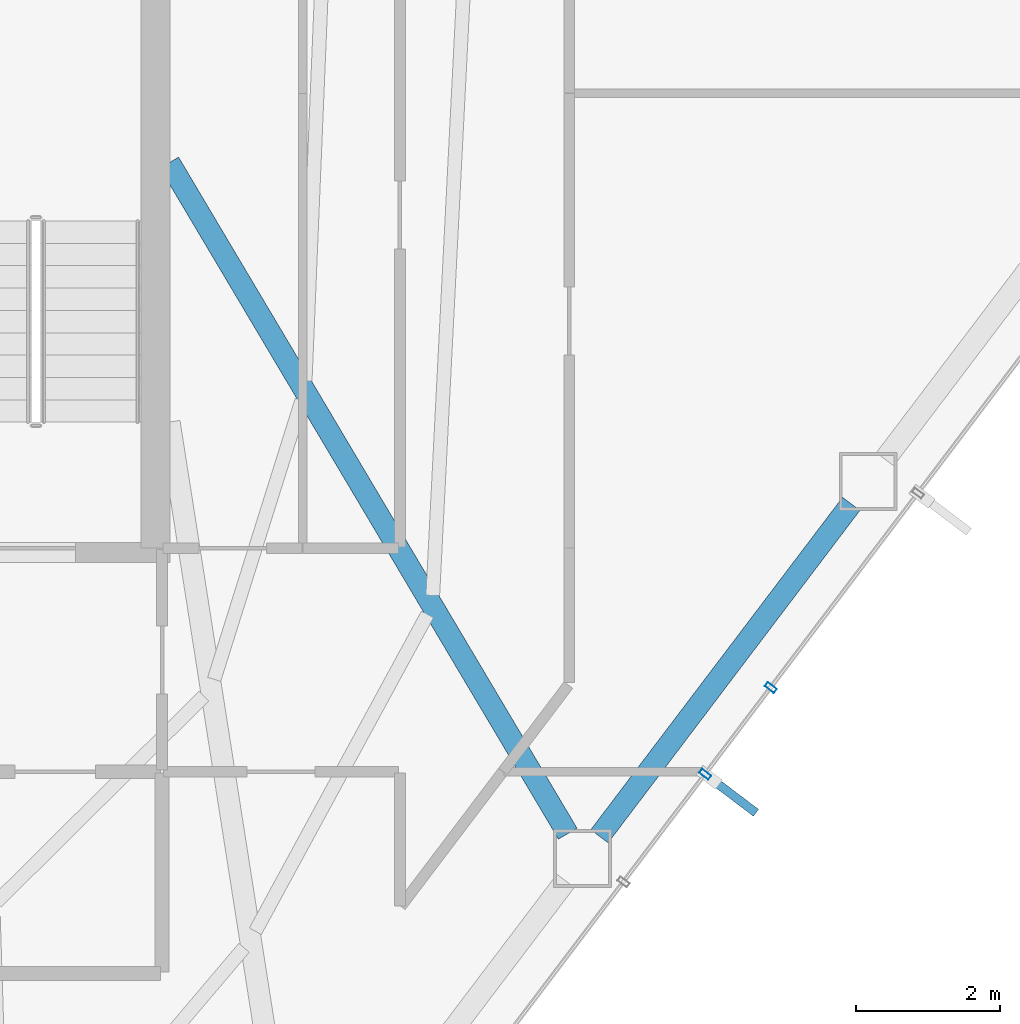
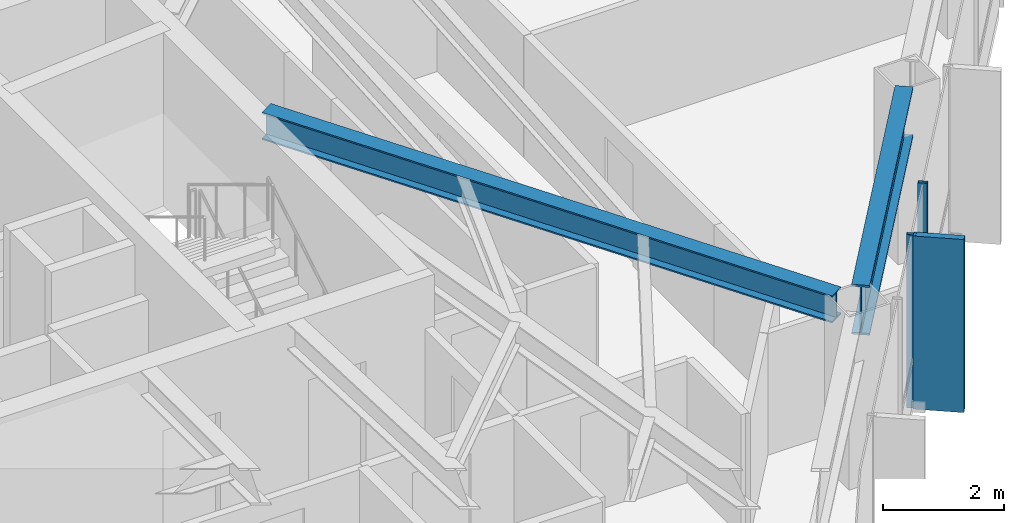
# One storey, part 19 of 28: 3 members, 2 beams, 1 element without a shape of its own.
"""IFC4 building model written with IfcOpenShell, lengths in metres."""

import ifcopenshell
import ifcopenshell.guid

model = None  # the IFC model being written
_history = None  # IfcOwnerHistory: only IFC2X3 demands one
_inside = {}  # id of a spatial element -> (the spatial element, [elements in it])
_under = {}  # id of a project, library or spatial element -> (it, [spatial elements below it])
_declared = {}  # id of a project -> (the project, [libraries it declares])
_typed = {}  # id of a type object -> (the type object, [elements of that type])
_made_of = {}  # id of a material, layer set ... -> (it, [elements and type objects made of it])


def new_model(schema):
    """Start an empty IFC model of exactly this schema.

    Asked for "IFC4X3", IfcOpenShell would pick the latest addendum, in which some entities
    have other attributes; the version numbers below select the first issue.
    IFC2X3 requires an IfcOwnerHistory on every rooted entity: one is made here for all.
    """
    global model, _history
    if schema == "IFC4X3":
        model = ifcopenshell.file(schema_version=(4, 3, 0, 0))
    else:
        model = ifcopenshell.file(schema=schema)
    _inside.clear()
    _under.clear()
    _declared.clear()
    _typed.clear()
    _made_of.clear()
    _history = None
    if model.schema == "IFC2X3":
        org = make("IfcOrganization", Name="unknown")
        user = make(
            "IfcPersonAndOrganization",
            ThePerson=make("IfcPerson", FamilyName="unknown"),
            TheOrganization=org,
        )
        app = make(
            "IfcApplication",
            ApplicationDeveloper=org,
            Version="unknown",
            ApplicationFullName="unknown",
            ApplicationIdentifier="unknown",
        )
        _history = make(
            "IfcOwnerHistory",
            OwningUser=user,
            OwningApplication=app,
            ChangeAction="ADDED",
            CreationDate=0,
        )
    return model


def make(cls, **values):
    """One entity of the class cls with the attributes given. An attribute that is None is left unset."""
    return model.create_entity(
        cls, **{name: value for name, value in values.items() if value is not None}
    )


def rooted(cls, **values):
    """An entity with a GlobalId (a new one), such as an element, a storey or a relation."""
    return make(cls, GlobalId=ifcopenshell.guid.new(), OwnerHistory=_history, **values)


def si_unit(unit_type, name, prefix=None):
    """IfcSIUnit, for example si_unit("LENGTHUNIT", "METRE", prefix="MILLI")."""
    return make("IfcSIUnit", UnitType=unit_type, Prefix=prefix, Name=name)


def assignment(units):
    """IfcUnitAssignment: the units of a project."""
    return None if units is None else make("IfcUnitAssignment", Units=units)


def point(xyz):
    """IfcCartesianPoint."""
    return None if xyz is None else make("IfcCartesianPoint", Coordinates=xyz)


def direction(xyz):
    """IfcDirection."""
    return None if xyz is None else make("IfcDirection", DirectionRatios=xyz)


def frame(location, z_axis=None, x_axis=None):
    """IfcAxis2Placement3D, a coordinate frame: its origin and axes. An axis left out is left unset."""
    return make(
        "IfcAxis2Placement3D",
        Location=point(location),
        Axis=direction(z_axis),
        RefDirection=direction(x_axis),
    )


def frame_2d(location, x_axis=None):
    """IfcAxis2Placement2D, a coordinate frame in the plane: its origin and x axis."""
    return make(
        "IfcAxis2Placement2D", Location=point(location), RefDirection=direction(x_axis)
    )


def origin():
    """The frame at (0, 0, 0) with its axes left unset."""
    return frame((0.0, 0.0, 0.0))


def origin_2d():
    """The frame at (0, 0) in the plane with its x axis left unset."""
    return frame_2d((0.0, 0.0))


def place(relative_to, where):
    """IfcLocalPlacement: puts the frame where relative to a parent placement (None: the world)."""
    return make(
        "IfcLocalPlacement", PlacementRelTo=relative_to, RelativePlacement=where
    )


def context(
    kind, dimensions, precision=None, world=None, true_north=None, identifier=None
):
    """IfcGeometricRepresentationContext, for example the 3D "Model" context."""
    return make(
        "IfcGeometricRepresentationContext",
        ContextIdentifier=identifier,
        ContextType=kind,
        CoordinateSpaceDimension=dimensions,
        Precision=precision,
        WorldCoordinateSystem=world,
        TrueNorth=true_north,
    )


def subcontext(parent, identifier, kind, view, scale=None):
    """IfcGeometricRepresentationSubContext, for example "Body" below "Model"."""
    return make(
        "IfcGeometricRepresentationSubContext",
        ContextIdentifier=identifier,
        ContextType=kind,
        ParentContext=parent,
        TargetScale=scale,
        TargetView=view,
    )


def project(units=None, contexts=None):
    """IfcProject with its units and contexts."""
    return rooted(
        "IfcProject",
        Name="project",
        RepresentationContexts=contexts,
        UnitsInContext=assignment(units),
    )


def spatial(cls, under=None, at=None, **own):
    """A site, building, storey or space (cls), placed at a placement, below another one or the project."""
    s = rooted(cls, ObjectPlacement=at, **own)
    if under is not None:
        _under.setdefault(under.id(), (under, []))[1].append(s)
    return s


def profile(cls, at=None, kind="AREA", **sizes):
    """A parametric profile (cls). Its sizes go by their IFC names, for example OverallWidth=200.0."""
    return make(cls, ProfileType=kind, Position=at, **sizes)


def rectangle(**sizes):
    """IfcRectangleProfileDef."""
    return profile("IfcRectangleProfileDef", **sizes)


def hollow_rectangle(**sizes):
    """IfcRectangleHollowProfileDef."""
    return profile("IfcRectangleHollowProfileDef", **sizes)


def i_section(**sizes):
    """IfcIShapeProfileDef."""
    return profile("IfcIShapeProfileDef", **sizes)


def extrude(swept, where, along, depth):
    """IfcExtrudedAreaSolid: the profile swept, set in the frame where, extruded along a direction by depth."""
    return make(
        "IfcExtrudedAreaSolid",
        SweptArea=swept,
        Position=where,
        ExtrudedDirection=direction(along),
        Depth=depth,
    )


def shape(context_of_items, identifier, shape_type, items):
    """IfcShapeRepresentation: the items that make up one representation, for example the "Body"."""
    return make(
        "IfcShapeRepresentation",
        ContextOfItems=context_of_items,
        RepresentationIdentifier=identifier,
        RepresentationType=shape_type,
        Items=items,
    )


def material(Name=None, Category=None):
    """IfcMaterial."""
    return make("IfcMaterial", Name=Name, Category=Category)


def layer(
    of_material, thickness, ventilated=None, Name=None, Category=None, Priority=None
):
    """IfcMaterialLayer: one layer of a wall or slab, of a material (None: an air gap)."""
    return make(
        "IfcMaterialLayer",
        Material=of_material,
        LayerThickness=thickness,
        IsVentilated=ventilated,
        Name=Name,
        Category=Category,
        Priority=Priority,
    )


def layer_set(layers, Name=None):
    """IfcMaterialLayerSet."""
    return make("IfcMaterialLayerSet", MaterialLayers=layers, LayerSetName=Name)


def material_profile(
    of_material, cross_section, Name=None, Category=None, Priority=None
):
    """IfcMaterialProfile: a cross section and its material."""
    return make(
        "IfcMaterialProfile",
        Name=Name,
        Material=of_material,
        Profile=cross_section,
        Priority=Priority,
        Category=Category,
    )


def profile_set(profiles, Name=None, composite=None):
    """IfcMaterialProfileSet."""
    return make(
        "IfcMaterialProfileSet",
        Name=Name,
        MaterialProfiles=profiles,
        CompositeProfile=composite,
    )


def made_of(thing, what):
    """Note that an element or type object is made of a material, layer set ...; save() writes the relation."""
    if what is not None:
        _made_of.setdefault(what.id(), (what, []))[1].append(thing)
    return thing


def type_object(cls, material=None, **own):
    """A type object (cls), such as IfcWallType, which elements share."""
    return made_of(rooted(cls, **own), material)


def element(
    cls,
    number,
    at=None,
    inside=None,
    cuts=None,
    type_object=None,
    material=None,
    context=None,
    identifier="Body",
    shape_type=None,
    held_by="IfcProductDefinitionShape",
    body=None,
    shapes=None,
    **own,
):
    """One element of the class cls, such as IfcWall. Its Tag is "e" and its number.

    at: its placement. inside: the storey or other place that contains it. cuts: it is an
    opening in that element (IfcRelVoidsElement). A single representation is given by context,
    identifier, shape_type and body (its items); several are given by shapes. held_by: the class
    of the entity that holds the representations. save() writes the other relations.
    """
    e = rooted(cls, Tag="e%d" % number, ObjectPlacement=at, **own)
    if body is not None:
        shapes = [shape(context, identifier, shape_type, body)]
    if shapes is not None:
        e.Representation = make(held_by, Representations=shapes)
    if inside is not None:
        _inside.setdefault(inside.id(), (inside, []))[1].append(e)
    if cuts is not None:
        rooted(
            "IfcRelVoidsElement", RelatingBuildingElement=cuts, RelatedOpeningElement=e
        )
    if type_object is not None:
        _typed.setdefault(type_object.id(), (type_object, []))[1].append(e)
    return made_of(e, material)


def aggregate(whole, parts):
    """IfcRelAggregates: a whole, such as a stair, and the parts it consists of."""
    return rooted("IfcRelAggregates", RelatingObject=whole, RelatedObjects=parts)


def save(model, path):
    """Write the relations noted so far, then the file.

    IfcRelAggregates (storeys below a building ...), IfcRelContainedInSpatialStructure (elements
    in a storey), IfcRelDefinesByType, IfcRelAssociatesMaterial and IfcRelDeclares: one each for
    every whole, place, type object, material and project.
    """
    for whole, parts in _under.values():
        aggregate(whole, parts)
    for where, things in _inside.values():
        rooted(
            "IfcRelContainedInSpatialStructure",
            RelatedElements=things,
            RelatingStructure=where,
        )
    for kind, things in _typed.values():
        rooted("IfcRelDefinesByType", RelatedObjects=things, RelatingType=kind)
    for what, things in _made_of.values():
        rooted("IfcRelAssociatesMaterial", RelatedObjects=things, RelatingMaterial=what)
    for by, libraries in _declared.values():
        rooted("IfcRelDeclares", RelatingContext=by, RelatedDefinitions=libraries)
    model.write(path)


model = new_model("IFC4")

# Units and contexts
model_context = context("Model", 3, precision=1e-05, world=origin(), true_north=direction((0.0, 1.0)))
body_context = subcontext(model_context, "Body", "Model", "MODEL_VIEW")
ifc_project = project(units=[si_unit("LENGTHUNIT", "METRE"), si_unit("AREAUNIT", "SQUARE_METRE"), si_unit("VOLUMEUNIT", "CUBIC_METRE"), si_unit("PLANEANGLEUNIT", "RADIAN"), si_unit("MASSUNIT", "GRAM", prefix="KILO")], contexts=[model_context])

# Site, building, storey
site_placement = place(None, origin())
site = spatial("IfcSite", under=ifc_project, at=site_placement, CompositionType="ELEMENT")
building_placement = place(site_placement, origin())
building = spatial("IfcBuilding", under=site, at=building_placement, Name="Zarrinselat Tower", CompositionType="ELEMENT")
storey_placement = place(building_placement, frame((0.0, 0.0, 149.60009765625)))
storey = spatial("IfcBuildingStorey", under=building, at=storey_placement, Name="L36", CompositionType="ELEMENT", Elevation=149.60009765625)

# Beams
ifc_material_1 = material(Name="Steel S355J2", Category="steel")
ifc_material_profile_1 = material_profile(ifc_material_1, i_section(OverallWidth=0.300048828125, OverallDepth=0.550048828125, WebThickness=0.014892578125, FlangeThickness=0.029052734375, at=origin_2d()), Name="HEB 550")
ifc_profile_set_1 = profile_set([ifc_material_profile_1], Name="Steel S355J2")
beam_type_1 = type_object("IfcBeamType", Name="BM-HEB550", PredefinedType="BEAM", material=ifc_profile_set_1)
beam_1_placement = place(storey_placement, frame((48.449951171875, 38.60009765625, 3.224853515625), z_axis=(0.510577824319, -0.85983154473, 0.0), x_axis=(0.85983154473, 0.510577824319, 0.0)))
element("IfcBeam", 1, at=beam_1_placement, inside=storey, type_object=beam_type_1, Name="L36 Radial Primary Girder RG13", PredefinedType="BEAM", context=body_context, shape_type="SweptSolid", body=[
    extrude(i_section(OverallWidth=0.300048828125, OverallDepth=0.550048828125, WebThickness=0.014892578125, FlangeThickness=0.029052734375, at=origin_2d()), origin(), (0.0, 0.0, 1.0), 10.828125),
])
ifc_material_2 = material(Name="Steel S460M", Category="steel")
ifc_material_profile_2 = material_profile(ifc_material_2, i_section(OverallWidth=0.302001953125, OverallDepth=1.008056640625, WebThickness=0.02099609375, FlangeThickness=0.0400390625, at=origin_2d()), Name="HEM 1000")
ifc_profile_set_2 = profile_set([ifc_material_profile_2], Name="Steel S460M")
beam_type_2 = type_object("IfcBeamType", Name="BM-HEM1000", PredefinedType="BEAM", material=ifc_profile_set_2)
beam_2_placement = place(storey_placement, frame((54.418212890625, 29.25341796875, 2.995849609375), z_axis=(0.603840630408, 0.797105070281, 0.0), x_axis=(-0.797105070281, 0.603840630408, 0.0)))
element("IfcBeam", 2, at=beam_2_placement, inside=storey, type_object=beam_type_2, Name="L36 Perimeter Spandrel Girder SP13", PredefinedType="BEAM", context=body_context, shape_type="SweptSolid", body=[
    extrude(i_section(OverallWidth=0.302001953125, OverallDepth=1.008056640625, WebThickness=0.02099609375, FlangeThickness=0.0400390625, at=origin_2d()), origin(), (0.0, 0.0, 1.0), 5.786865234375),
])

# Curtain wall, members
ifc_material_3 = material(Name="Extruded Aluminium Alloy EN AW-6063 T6", Category="aluminium")
ifc_layer = layer(ifc_material_3, 0.175048828125)
ifc_layer_set = layer_set([ifc_layer], Name="Extruded Aluminium Alloy EN AW-6063 T6")
curtain_wall_type = type_object("IfcCurtainWallType", Name="CWS-HTL", PredefinedType="NOTDEFINED", material=ifc_layer_set)
curtain_wall_placement = place(storey_placement, origin())
curtain_wall = element("IfcCurtainWall", 3, at=curtain_wall_placement, inside=storey, type_object=curtain_wall_type, Name="L36 Unitised Curtain Wall CW-L36-E05", PredefinedType="NOTDEFINED")
ifc_material_4 = material(Name="Extruded Aluminium Alloy EN AW-6063 T6", Category="aluminium")
ifc_material_profile_3 = material_profile(ifc_material_4, hollow_rectangle(XDim=0.070068359375, YDim=0.159912109375, WallThickness=0.00390625, at=origin_2d()), Name="RHS 160x70x4")
ifc_profile_set_3 = profile_set([ifc_material_profile_3], Name="Extruded Aluminium Alloy EN AW-6063 T6")
member_type_1 = type_object("IfcMemberType", Name="MEM-CW-MUL2", PredefinedType="MULLION", material=ifc_profile_set_3)
member_1_placement = place(storey_placement, frame((55.88525390625, 30.11376953125, 0.0), z_axis=(0.0, 0.0, 1.0), x_axis=(0.603857687995, 0.797092148154, 0.0)))
member_1 = element("IfcMember", 4, at=member_1_placement, type_object=member_type_1, Name="CW-L36-E05 Mullion 5", PredefinedType="MULLION", context=body_context, shape_type="SweptSolid", body=[
    extrude(hollow_rectangle(XDim=0.070068359375, YDim=0.159912109375, WallThickness=0.00390625, at=origin_2d()), origin(), (0.0, 0.0, 1.0), 3.5),
])
member_2_placement = place(storey_placement, frame((56.796142578125, 31.316162109375, 0.0), z_axis=(0.0, 0.0, 1.0), x_axis=(0.603857687995, 0.797092148154, 0.0)))
member_2 = element("IfcMember", 5, at=member_2_placement, type_object=member_type_1, Name="CW-L36-E05 Mullion 6", PredefinedType="MULLION", context=body_context, shape_type="SweptSolid", body=[
    extrude(hollow_rectangle(XDim=0.070068359375, YDim=0.159912109375, WallThickness=0.00390625, at=origin_2d()), origin(), (0.0, 0.0, 1.0), 3.5),
])
ifc_material_5 = material(Name="Honed Cream Travertine Stone", Category="masonry")
ifc_material_profile_4 = material_profile(ifc_material_5, rectangle(XDim=0.1201171875, YDim=0.85009765625, at=origin_2d()), Name="FIN 850x120")
ifc_profile_set_4 = profile_set([ifc_material_profile_4], Name="Honed Cream Travertine Stone")
member_type_2 = type_object("IfcMemberType", Name="MEM-STONE-FIN", PredefinedType="USERDEFINED", material=ifc_profile_set_4)
member_3_placement = place(storey_placement, frame((56.251953125, 29.8359375, 0.0), z_axis=(0.0, 0.0, 1.0), x_axis=(-0.603857687995, -0.797092148154, 0.0)))
member_3 = element("IfcMember", 6, at=member_3_placement, type_object=member_type_2, Name="L36 Stone Shading Fin CW-L36-E05-05", ObjectType="FIN", PredefinedType="USERDEFINED", context=body_context, shape_type="SweptSolid", body=[
    extrude(rectangle(XDim=0.1201171875, YDim=0.85009765625, at=origin_2d()), origin(), (0.0, 0.0, 1.0), 3.5),
])
aggregate(curtain_wall, [member_1, member_3, member_2])

save(model, "model.ifc")
